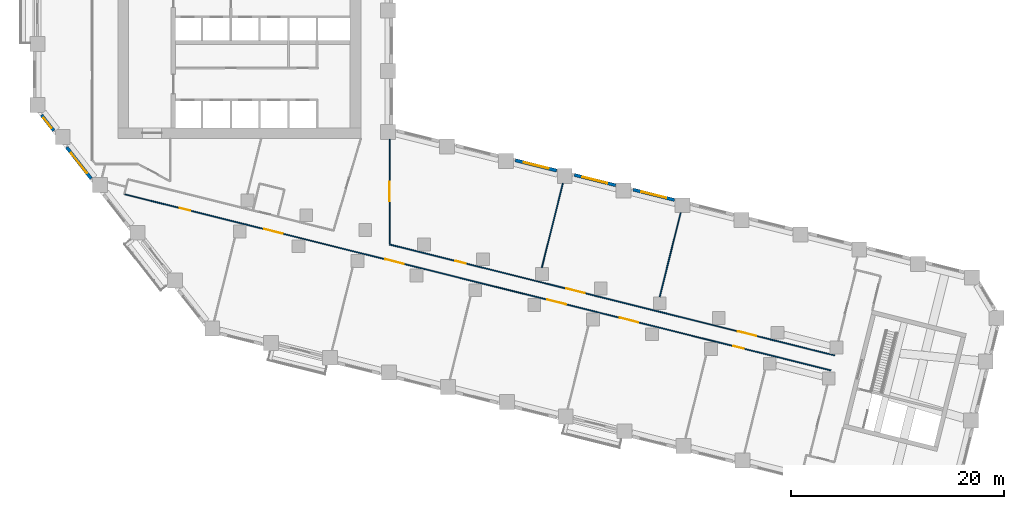
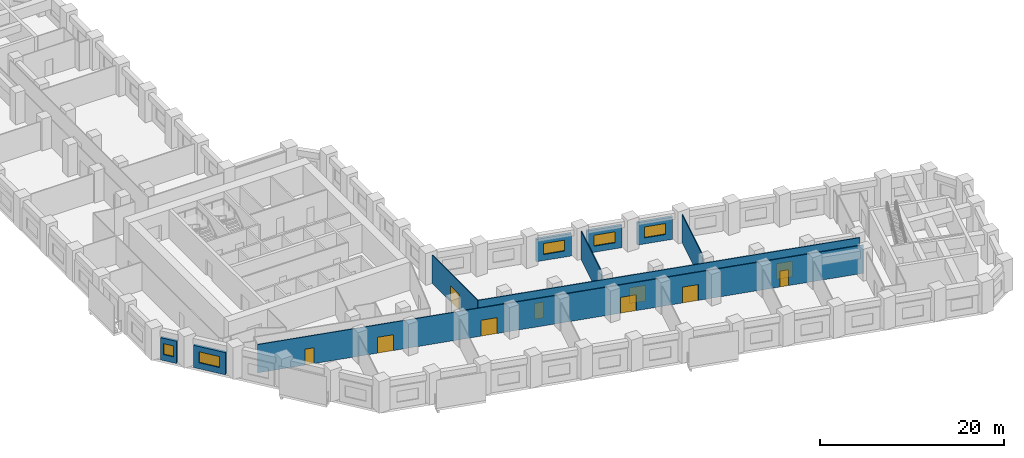
# One storey, part 4 of 12: 10 doors, 10 walls, 5 windows, 15 openings.
"""IFC4 building model written with IfcOpenShell, lengths in metres."""

from ifc_helpers import new_model, si_unit, direction, frame, frame_2d, origin, place, context, subcontext, project, spatial, rectangle, extrude, material, layer, layer_set, type_object, element, fill, save


model = new_model("IFC4")

# Units and contexts
model_context = context("Model", 3, precision=1e-05, world=origin(), true_north=direction((0.0, 1.0)))
body_context = subcontext(model_context, "Body", "Model", "MODEL_VIEW")
ifc_project = project(units=[si_unit("LENGTHUNIT", "METRE"), si_unit("AREAUNIT", "SQUARE_METRE"), si_unit("VOLUMEUNIT", "CUBIC_METRE"), si_unit("PLANEANGLEUNIT", "RADIAN"), si_unit("MASSUNIT", "GRAM", prefix="KILO")], contexts=[model_context])

# Site, building, storey
site_placement = place(None, origin())
site = spatial("IfcSite", under=ifc_project, at=site_placement, CompositionType="ELEMENT")
building_placement = place(site_placement, origin())
building = spatial("IfcBuilding", under=site, at=building_placement, Name="Meshkara Civic Tower", CompositionType="ELEMENT")
storey_placement = place(building_placement, frame((0.0, 0.0, 87.60009765625)))
storey = spatial("IfcBuildingStorey", under=building, at=storey_placement, Name="L19", CompositionType="ELEMENT", Elevation=87.60009765625)

# Wall, openings, doors
ifc_material_1 = material(Name="Corridor wall 100")
ifc_layer_1 = layer(ifc_material_1, 0.10009765625)
ifc_layer_set_1 = layer_set([ifc_layer_1], Name="Corridor wall 100")
wall_type_1 = type_object("IfcWallType", Name="Corridor wall 100", PredefinedType="PARTITIONING", material=ifc_layer_set_1)
wall_1_placement = place(storey_placement, frame((8.593994140625, 8.862060546875, 0.0), z_axis=(0.0, 0.0, 1.0), x_axis=(0.970293746648, -0.241929835316, 0.0)))
wall_1 = element("IfcWall", 1, at=wall_1_placement, inside=storey, type_object=wall_type_1, Name="L19-W008", PredefinedType="PARTITIONING", context=body_context, shape_type="SweptSolid", body=[
    extrude(rectangle(XDim=68.375244140625, YDim=0.10009765625, at=frame_2d((34.1875, 0.0))), origin(), (0.0, 0.0, 1.0), 3.75),
])
opening_1_placement = place(wall_1_placement, frame((40.93994140625, 0.0, 0.0)))
opening_1 = element("IfcOpeningElement", 2, at=opening_1_placement, cuts=wall_1, Name="Opening L19-D003", PredefinedType="OPENING", context=body_context, shape_type="SweptSolid", body=[
    extrude(rectangle(XDim=1.800048828125, YDim=2.10009765625, at=frame_2d((0.89990234375, 1.050048828125))), frame((0.0, 0.06005859375, 0.0), z_axis=(0.0, -1.0, 0.0), x_axis=(1.0, 0.0, 0.0)), (0.0, 0.0, 1.0), 0.1201171875),
])
opening_2_placement = place(wall_1_placement, frame((47.94091796875, 0.0, 0.0)))
opening_2 = element("IfcOpeningElement", 3, at=opening_2_placement, cuts=wall_1, Name="Opening L19-D005", PredefinedType="OPENING", context=body_context, shape_type="SweptSolid", body=[
    extrude(rectangle(XDim=1.800048828125, YDim=2.10009765625, at=frame_2d((0.89990234375, 1.050048828125))), frame((0.0, 0.06005859375, 0.0), z_axis=(0.0, -1.0, 0.0), x_axis=(1.0, 0.0, 0.0)), (0.0, 0.0, 1.0), 0.1201171875),
])
opening_3_placement = place(wall_1_placement, frame((58.93994140625, 0.0, 0.0)))
opening_3 = element("IfcOpeningElement", 4, at=opening_3_placement, cuts=wall_1, Name="Opening L19-D006", PredefinedType="OPENING", context=body_context, shape_type="SweptSolid", body=[
    extrude(rectangle(XDim=1.0, YDim=2.10009765625, at=frame_2d((0.5, 1.050048828125))), frame((0.0, 0.06005859375, 0.0), z_axis=(0.0, -1.0, 0.0), x_axis=(1.0, 0.0, 0.0)), (0.0, 0.0, 1.0), 0.1201171875),
])
opening_4_placement = place(wall_1_placement, frame((13.5400390625, 0.0, 0.0)))
opening_4 = element("IfcOpeningElement", 5, at=opening_4_placement, cuts=wall_1, Name="Opening L19-D010", PredefinedType="OPENING", context=body_context, shape_type="SweptSolid", body=[
    extrude(rectangle(XDim=1.800048828125, YDim=2.10009765625, at=frame_2d((0.89990234375, 1.050048828125))), frame((0.0, 0.06005859375, 0.0), z_axis=(0.0, -1.0, 0.0), x_axis=(1.0, 0.0, 0.0)), (0.0, 0.0, 1.0), 0.1201171875),
])
opening_5_placement = place(wall_1_placement, frame((25.239990234375, 0.0, 0.0)))
opening_5 = element("IfcOpeningElement", 6, at=opening_5_placement, cuts=wall_1, Name="Opening L19-D011", PredefinedType="OPENING", context=body_context, shape_type="SweptSolid", body=[
    extrude(rectangle(XDim=1.800048828125, YDim=2.10009765625, at=frame_2d((0.89990234375, 1.050048828125))), frame((0.0, 0.06005859375, 0.0), z_axis=(0.0, -1.0, 0.0), x_axis=(1.0, 0.0, 0.0)), (0.0, 0.0, 1.0), 0.1201171875),
])
opening_6_placement = place(wall_1_placement, frame((5.3798828125, 0.0, 0.0)))
opening_6 = element("IfcOpeningElement", 7, at=opening_6_placement, cuts=wall_1, Name="Opening L19-D014", PredefinedType="OPENING", context=body_context, shape_type="SweptSolid", body=[
    extrude(rectangle(XDim=1.0, YDim=2.10009765625, at=frame_2d((0.5, 1.050048828125))), frame((0.0, 0.06005859375, 0.0), z_axis=(0.0, -1.0, 0.0), x_axis=(1.0, 0.0, 0.0)), (0.0, 0.0, 1.0), 0.1201171875),
])
ifc_material_2 = material(Name="Door 1000 x 2100")
door_type_1 = type_object("IfcDoorType", Name="Door 1000 x 2100", OperationType="SINGLE_SWING_LEFT", PredefinedType="DOOR", material=ifc_material_2)
door_1_placement = place(opening_3_placement, origin())
door_1 = element("IfcDoor", 8, at=door_1_placement, inside=storey, type_object=door_type_1, Name="L19-D006", OperationType="SINGLE_SWING_RIGHT", OverallHeight=2.10009765625, OverallWidth=1.0, PredefinedType="DOOR", context=body_context, shape_type="SweptSolid", body=[
    extrude(rectangle(XDim=1.0, YDim=2.10009765625, at=frame_2d((0.5, 1.050048828125))), frame((0.0, 0.02490234375, 0.0), z_axis=(0.0, -1.0, 0.0), x_axis=(1.0, 0.0, 0.0)), (0.0, 0.0, 1.0), 0.050048828125),
])
fill(opening_3, door_1)
door_2_placement = place(opening_6_placement, origin())
door_2 = element("IfcDoor", 9, at=door_2_placement, inside=storey, type_object=door_type_1, Name="L19-D014", OperationType="SINGLE_SWING_LEFT", OverallHeight=2.10009765625, OverallWidth=1.0, PredefinedType="DOOR", context=body_context, shape_type="SweptSolid", body=[
    extrude(rectangle(XDim=1.0, YDim=2.10009765625, at=frame_2d((0.5, 1.050048828125))), frame((0.0, 0.02490234375, 0.0), z_axis=(0.0, -1.0, 0.0), x_axis=(1.0, 0.0, 0.0)), (0.0, 0.0, 1.0), 0.050048828125),
])
fill(opening_6, door_2)
ifc_material_3 = material(Name="Door pair 1800 x 2100")
door_type_2 = type_object("IfcDoorType", Name="Door pair 1800 x 2100", OperationType="SINGLE_SWING_LEFT", PredefinedType="DOOR", material=ifc_material_3)
door_3_placement = place(opening_1_placement, origin())
door_3 = element("IfcDoor", 10, at=door_3_placement, inside=storey, type_object=door_type_2, Name="L19-D003", OperationType="DOUBLE_DOOR_SINGLE_SWING", OverallHeight=2.10009765625, OverallWidth=1.800048828125, PredefinedType="DOOR", context=body_context, shape_type="SweptSolid", body=[
    extrude(rectangle(XDim=1.800048828125, YDim=2.10009765625, at=frame_2d((0.89990234375, 1.050048828125))), frame((0.0, 0.02490234375, 0.0), z_axis=(0.0, -1.0, 0.0), x_axis=(1.0, 0.0, 0.0)), (0.0, 0.0, 1.0), 0.050048828125),
])
fill(opening_1, door_3)
door_4_placement = place(opening_2_placement, origin())
door_4 = element("IfcDoor", 11, at=door_4_placement, inside=storey, type_object=door_type_2, Name="L19-D005", OperationType="DOUBLE_DOOR_SINGLE_SWING", OverallHeight=2.10009765625, OverallWidth=1.800048828125, PredefinedType="DOOR", context=body_context, shape_type="SweptSolid", body=[
    extrude(rectangle(XDim=1.800048828125, YDim=2.10009765625, at=frame_2d((0.89990234375, 1.050048828125))), frame((0.0, 0.02490234375, 0.0), z_axis=(0.0, -1.0, 0.0), x_axis=(1.0, 0.0, 0.0)), (0.0, 0.0, 1.0), 0.050048828125),
])
fill(opening_2, door_4)
door_5_placement = place(opening_4_placement, origin())
door_5 = element("IfcDoor", 12, at=door_5_placement, inside=storey, type_object=door_type_2, Name="L19-D010", OperationType="DOUBLE_DOOR_SINGLE_SWING", OverallHeight=2.10009765625, OverallWidth=1.800048828125, PredefinedType="DOOR", context=body_context, shape_type="SweptSolid", body=[
    extrude(rectangle(XDim=1.800048828125, YDim=2.10009765625, at=frame_2d((0.89990234375, 1.050048828125))), frame((0.0, 0.02490234375, 0.0), z_axis=(0.0, -1.0, 0.0), x_axis=(1.0, 0.0, 0.0)), (0.0, 0.0, 1.0), 0.050048828125),
])
fill(opening_4, door_5)
door_6_placement = place(opening_5_placement, origin())
door_6 = element("IfcDoor", 13, at=door_6_placement, inside=storey, type_object=door_type_2, Name="L19-D011", OperationType="DOUBLE_DOOR_SINGLE_SWING", OverallHeight=2.10009765625, OverallWidth=1.800048828125, PredefinedType="DOOR", context=body_context, shape_type="SweptSolid", body=[
    extrude(rectangle(XDim=1.800048828125, YDim=2.10009765625, at=frame_2d((0.89990234375, 1.050048828125))), frame((0.0, 0.02490234375, 0.0), z_axis=(0.0, -1.0, 0.0), x_axis=(1.0, 0.0, 0.0)), (0.0, 0.0, 1.0), 0.050048828125),
])
fill(opening_5, door_6)

wall_2_placement = place(storey_placement, frame((33.5, 4.14111328125, 0.0), z_axis=(0.0, 0.0, 1.0), x_axis=(0.970294366687, -0.241927348549, 0.0)))
wall_2 = element("IfcWall", 14, at=wall_2_placement, inside=storey, type_object=wall_type_1, Name="L19-W022", PredefinedType="PARTITIONING", context=body_context, shape_type="SweptSolid", body=[
    extrude(rectangle(XDim=43.0673828125, YDim=0.10009765625, at=frame_2d((21.53369140625, 0.0))), origin(), (0.0, 0.0, 1.0), 3.75),
])
opening_7_placement = place(wall_2_placement, frame((17.075927734375, 0.0, 0.0)))
opening_7 = element("IfcOpeningElement", 15, at=opening_7_placement, cuts=wall_2, Name="Opening L19-D004", PredefinedType="OPENING", context=body_context, shape_type="SweptSolid", body=[
    extrude(rectangle(XDim=1.800048828125, YDim=2.10009765625, at=frame_2d((0.89990234375, 1.050048828125))), frame((0.0, 0.06005859375, 0.0), z_axis=(0.0, -1.0, 0.0), x_axis=(1.0, 0.0, 0.0)), (0.0, 0.0, 1.0), 0.1201171875),
])
opening_8_placement = place(wall_2_placement, frame((33.676025390625, 0.0, 0.0)))
opening_8 = element("IfcOpeningElement", 16, at=opening_8_placement, cuts=wall_2, Name="Opening L19-D007", PredefinedType="OPENING", context=body_context, shape_type="SweptSolid", body=[
    extrude(rectangle(XDim=1.800048828125, YDim=2.10009765625, at=frame_2d((0.89990234375, 1.050048828125))), frame((0.0, 0.06005859375, 0.0), z_axis=(0.0, -1.0, 0.0), x_axis=(1.0, 0.0, 0.0)), (0.0, 0.0, 1.0), 0.1201171875),
])
opening_9_placement = place(wall_2_placement, frame((6.3798828125, 0.0, 0.0)))
opening_9 = element("IfcOpeningElement", 17, at=opening_9_placement, cuts=wall_2, Name="Opening L19-D012", PredefinedType="OPENING", context=body_context, shape_type="SweptSolid", body=[
    extrude(rectangle(XDim=1.0, YDim=2.10009765625, at=frame_2d((0.5, 1.050048828125))), frame((0.0, 0.06005859375, 0.0), z_axis=(0.0, -1.0, 0.0), x_axis=(1.0, 0.0, 0.0)), (0.0, 0.0, 1.0), 0.1201171875),
])
door_7_placement = place(opening_9_placement, origin())
door_7 = element("IfcDoor", 18, at=door_7_placement, inside=storey, type_object=door_type_1, Name="L19-D012", OperationType="SINGLE_SWING_LEFT", OverallHeight=2.10009765625, OverallWidth=1.0, PredefinedType="DOOR", context=body_context, shape_type="SweptSolid", body=[
    extrude(rectangle(XDim=1.0, YDim=2.10009765625, at=frame_2d((0.5, 1.050048828125))), frame((0.0, 0.02490234375, 0.0), z_axis=(0.0, -1.0, 0.0), x_axis=(1.0, 0.0, 0.0)), (0.0, 0.0, 1.0), 0.050048828125),
])
fill(opening_9, door_7)
door_8_placement = place(opening_7_placement, origin())
door_8 = element("IfcDoor", 19, at=door_8_placement, inside=storey, type_object=door_type_2, Name="L19-D004", OperationType="DOUBLE_DOOR_SINGLE_SWING", OverallHeight=2.10009765625, OverallWidth=1.800048828125, PredefinedType="DOOR", context=body_context, shape_type="SweptSolid", body=[
    extrude(rectangle(XDim=1.800048828125, YDim=2.10009765625, at=frame_2d((0.89990234375, 1.050048828125))), frame((0.0, 0.02490234375, 0.0), z_axis=(0.0, -1.0, 0.0), x_axis=(1.0, 0.0, 0.0)), (0.0, 0.0, 1.0), 0.050048828125),
])
fill(opening_7, door_8)
door_9_placement = place(opening_8_placement, origin())
door_9 = element("IfcDoor", 20, at=door_9_placement, inside=storey, type_object=door_type_2, Name="L19-D007", OperationType="DOUBLE_DOOR_SINGLE_SWING", OverallHeight=2.10009765625, OverallWidth=1.800048828125, PredefinedType="DOOR", context=body_context, shape_type="SweptSolid", body=[
    extrude(rectangle(XDim=1.800048828125, YDim=2.10009765625, at=frame_2d((0.89990234375, 1.050048828125))), frame((0.0, 0.02490234375, 0.0), z_axis=(0.0, -1.0, 0.0), x_axis=(1.0, 0.0, 0.0)), (0.0, 0.0, 1.0), 0.050048828125),
])
fill(opening_8, door_9)

# Wall, opening, door
wall_3_placement = place(storey_placement, frame((33.5, 4.14111328125, 0.0), z_axis=(0.0, 0.0, 1.0), x_axis=(0.0, 1.0, 0.0)))
wall_3 = element("IfcWall", 21, at=wall_3_placement, inside=storey, type_object=wall_type_1, Name="L19-W023", PredefinedType="PARTITIONING", context=body_context, shape_type="SweptSolid", body=[
    extrude(rectangle(XDim=9.8779296875, YDim=0.10009765625, at=frame_2d((4.93896484375, 0.0))), origin(), (0.0, 0.0, 1.0), 3.75),
])
opening_10_placement = place(wall_3_placement, frame((4.080078125, 0.0, 0.0)))
opening_10 = element("IfcOpeningElement", 22, at=opening_10_placement, cuts=wall_3, Name="Opening L19-D017", PredefinedType="OPENING", context=body_context, shape_type="SweptSolid", body=[
    extrude(rectangle(XDim=1.800048828125, YDim=2.10009765625, at=frame_2d((0.89990234375, 1.050048828125))), frame((0.0, 0.06005859375, 0.0), z_axis=(0.0, -1.0, 0.0), x_axis=(1.0, 0.0, 0.0)), (0.0, 0.0, 1.0), 0.1201171875),
])
door_10_placement = place(opening_10_placement, origin())
door_10 = element("IfcDoor", 23, at=door_10_placement, inside=storey, type_object=door_type_2, Name="L19-D017", OperationType="DOUBLE_DOOR_SINGLE_SWING", OverallHeight=2.10009765625, OverallWidth=1.800048828125, PredefinedType="DOOR", context=body_context, shape_type="SweptSolid", body=[
    extrude(rectangle(XDim=1.800048828125, YDim=2.10009765625, at=frame_2d((0.89990234375, 1.050048828125))), frame((0.0, 0.02490234375, 0.0), z_axis=(0.0, -1.0, 0.0), x_axis=(1.0, 0.0, 0.0)), (0.0, 0.0, 1.0), 0.050048828125),
])
fill(opening_10, door_10)

# Wall, opening, window
ifc_material_4 = material(Name="Insulated infill panel with bronze anodised aluminium cladding", Category="aluminium")
ifc_layer_2 = layer(ifc_material_4, 0.300048828125)
ifc_layer_set_2 = layer_set([ifc_layer_2], Name="EXTERNAL INFILL WALL 300")
wall_type_2 = type_object("IfcWallType", Name="EXTERNAL INFILL WALL 300", PredefinedType="SOLIDWALL", material=ifc_layer_set_2)
wall_4_placement = place(storey_placement, frame((60.251953125, 8.321044921875, 0.0), z_axis=(0.0, 0.0, 1.0), x_axis=(-0.970303772127, 0.241889623168, 0.0)))
wall_4 = element("IfcWall", 24, at=wall_4_placement, inside=storey, type_object=wall_type_2, Name="External wall", PredefinedType="SOLIDWALL", context=body_context, shape_type="SweptSolid", body=[
    extrude(rectangle(XDim=4.001953125, YDim=0.300048828125, at=frame_2d((2.0009765625, 0.0))), origin(), (0.0, 0.0, 1.0), 2.949951171875),
])
opening_11_placement = place(wall_4_placement, frame((0.801025390625, 0.0, 0.800048828125)))
opening_11 = element("IfcOpeningElement", 25, at=opening_11_placement, cuts=wall_4, Name="Opening W8", PredefinedType="OPENING", context=body_context, shape_type="SweptSolid", body=[
    extrude(rectangle(XDim=2.39990234375, YDim=1.449951171875, at=frame_2d((1.199951171875, 0.72509765625))), frame((0.0, 0.159912109375, 0.0), z_axis=(0.0, -1.0, 0.0), x_axis=(1.0, 0.0, 0.0)), (0.0, 0.0, 1.0), 0.320068359375),
])
ifc_material_5 = material(Name="Tinted double glazing", Category="glass")
window_type_1 = type_object("IfcWindowType", Name="WINDOW 2400x1450", PartitioningType="DOUBLE_PANEL_VERTICAL", PredefinedType="WINDOW", material=ifc_material_5)
window_1_placement = place(opening_11_placement, origin())
window_1 = element("IfcWindow", 26, at=window_1_placement, inside=storey, type_object=window_type_1, Name="Window", OverallHeight=1.449951171875, OverallWidth=2.39990234375, PartitioningType="DOUBLE_PANEL_VERTICAL", PredefinedType="WINDOW", context=body_context, shape_type="SweptSolid", body=[
    extrude(rectangle(XDim=2.39990234375, YDim=1.449951171875, at=frame_2d((1.199951171875, 0.72509765625))), frame((0.0, 0.030029296875, 0.0), z_axis=(0.0, -1.0, 0.0), x_axis=(1.0, 0.0, 0.0)), (0.0, 0.0, 1.0), 0.06005859375),
])
fill(opening_11, window_1)

wall_5_placement = place(storey_placement, frame((54.721923828125, 9.699951171875, 0.0), z_axis=(0.0, 0.0, 1.0), x_axis=(-0.970318045095, 0.24183236211, 0.0)))
wall_5 = element("IfcWall", 27, at=wall_5_placement, inside=storey, type_object=wall_type_2, Name="External wall", PredefinedType="SOLIDWALL", context=body_context, shape_type="SweptSolid", body=[
    extrude(rectangle(XDim=4.0029296875, YDim=0.300048828125, at=frame_2d((2.00146484375, 0.0))), origin(), (0.0, 0.0, 1.0), 2.949951171875),
])
opening_12_placement = place(wall_5_placement, frame((0.802001953125, 0.0, 0.800048828125)))
opening_12 = element("IfcOpeningElement", 28, at=opening_12_placement, cuts=wall_5, Name="Opening W8", PredefinedType="OPENING", context=body_context, shape_type="SweptSolid", body=[
    extrude(rectangle(XDim=2.39990234375, YDim=1.449951171875, at=frame_2d((1.199951171875, 0.72509765625))), frame((0.0, 0.159912109375, 0.0), z_axis=(0.0, -1.0, 0.0), x_axis=(1.0, 0.0, 0.0)), (0.0, 0.0, 1.0), 0.320068359375),
])
window_2_placement = place(opening_12_placement, origin())
window_2 = element("IfcWindow", 29, at=window_2_placement, inside=storey, type_object=window_type_1, Name="Window", OverallHeight=1.449951171875, OverallWidth=2.39990234375, PartitioningType="DOUBLE_PANEL_VERTICAL", PredefinedType="WINDOW", context=body_context, shape_type="SweptSolid", body=[
    extrude(rectangle(XDim=2.39990234375, YDim=1.449951171875, at=frame_2d((1.199951171875, 0.72509765625))), frame((0.0, 0.030029296875, 0.0), z_axis=(0.0, -1.0, 0.0), x_axis=(1.0, 0.0, 0.0)), (0.0, 0.0, 1.0), 0.06005859375),
])
fill(opening_12, window_2)

wall_6_placement = place(storey_placement, frame((49.19091796875, 11.0791015625, 0.0), z_axis=(0.0, 0.0, 1.0), x_axis=(-0.970318045095, 0.24183236211, 0.0)))
wall_6 = element("IfcWall", 30, at=wall_6_placement, inside=storey, type_object=wall_type_2, Name="External wall", PredefinedType="SOLIDWALL", context=body_context, shape_type="SweptSolid", body=[
    extrude(rectangle(XDim=4.0029296875, YDim=0.300048828125, at=frame_2d((2.00146484375, 0.0))), origin(), (0.0, 0.0, 1.0), 2.949951171875),
])
opening_13_placement = place(wall_6_placement, frame((0.802001953125, 0.0, 0.800048828125)))
opening_13 = element("IfcOpeningElement", 31, at=opening_13_placement, cuts=wall_6, Name="Opening W8", PredefinedType="OPENING", context=body_context, shape_type="SweptSolid", body=[
    extrude(rectangle(XDim=2.39990234375, YDim=1.449951171875, at=frame_2d((1.199951171875, 0.72509765625))), frame((0.0, 0.159912109375, 0.0), z_axis=(0.0, -1.0, 0.0), x_axis=(1.0, 0.0, 0.0)), (0.0, 0.0, 1.0), 0.320068359375),
])
window_3_placement = place(opening_13_placement, origin())
window_3 = element("IfcWindow", 32, at=window_3_placement, inside=storey, type_object=window_type_1, Name="Window", OverallHeight=1.449951171875, OverallWidth=2.39990234375, PartitioningType="DOUBLE_PANEL_VERTICAL", PredefinedType="WINDOW", context=body_context, shape_type="SweptSolid", body=[
    extrude(rectangle(XDim=2.39990234375, YDim=1.449951171875, at=frame_2d((1.199951171875, 0.72509765625))), frame((0.0, 0.030029296875, 0.0), z_axis=(0.0, -1.0, 0.0), x_axis=(1.0, 0.0, 0.0)), (0.0, 0.0, 1.0), 0.06005859375),
])
fill(opening_13, window_3)

wall_7_placement = place(storey_placement, frame((0.818115234375, 16.2958984375, 0.0), z_axis=(0.0, 0.0, 1.0), x_axis=(0.615985155343, -0.787757759973, 0.0)))
wall_7 = element("IfcWall", 33, at=wall_7_placement, inside=storey, type_object=wall_type_2, Name="External wall", PredefinedType="SOLIDWALL", context=body_context, shape_type="SweptSolid", body=[
    extrude(rectangle(XDim=1.874755859375, YDim=0.300048828125, at=frame_2d((0.9375, 0.0))), origin(), (0.0, 0.0, 1.0), 2.949951171875),
])
opening_14_placement = place(wall_7_placement, frame((0.3369140625, 0.0, 0.800048828125)))
opening_14 = element("IfcOpeningElement", 34, at=opening_14_placement, cuts=wall_7, Name="Opening W4", PredefinedType="OPENING", context=body_context, shape_type="SweptSolid", body=[
    extrude(rectangle(XDim=1.199951171875, YDim=1.449951171875, at=frame_2d((0.60009765625, 0.72509765625))), frame((0.0, 0.159912109375, 0.0), z_axis=(0.0, -1.0, 0.0), x_axis=(1.0, 0.0, 0.0)), (0.0, 0.0, 1.0), 0.320068359375),
])
ifc_material_6 = material(Name="Tinted double glazing", Category="glass")
window_type_2 = type_object("IfcWindowType", Name="WINDOW 1200x1450", PartitioningType="SINGLE_PANEL", PredefinedType="WINDOW", material=ifc_material_6)
window_4_placement = place(opening_14_placement, origin())
window_4 = element("IfcWindow", 35, at=window_4_placement, inside=storey, type_object=window_type_2, Name="Window", OverallHeight=1.449951171875, OverallWidth=1.199951171875, PartitioningType="SINGLE_PANEL", PredefinedType="WINDOW", context=body_context, shape_type="SweptSolid", body=[
    extrude(rectangle(XDim=1.199951171875, YDim=1.449951171875, at=frame_2d((0.60009765625, 0.72509765625))), frame((0.0, 0.030029296875, 0.0), z_axis=(0.0, -1.0, 0.0), x_axis=(1.0, 0.0, 0.0)), (0.0, 0.0, 1.0), 0.06005859375),
])
fill(opening_14, window_4)

wall_8_placement = place(storey_placement, frame((3.18310546875, 13.27001953125, 0.0), z_axis=(0.0, 0.0, 1.0), x_axis=(0.615564114897, -0.788086810225, 0.0)))
wall_8 = element("IfcWall", 36, at=wall_8_placement, inside=storey, type_object=wall_type_2, Name="External wall", PredefinedType="SOLIDWALL", context=body_context, shape_type="SweptSolid", body=[
    extrude(rectangle(XDim=3.734619140625, YDim=0.300048828125, at=frame_2d((1.8671875, 0.0))), origin(), (0.0, 0.0, 1.0), 2.949951171875),
])
opening_15_placement = place(wall_8_placement, frame((0.6669921875, 0.0, 0.800048828125)))
opening_15 = element("IfcOpeningElement", 37, at=opening_15_placement, cuts=wall_8, Name="Opening W8", PredefinedType="OPENING", context=body_context, shape_type="SweptSolid", body=[
    extrude(rectangle(XDim=2.39990234375, YDim=1.449951171875, at=frame_2d((1.199951171875, 0.72509765625))), frame((0.0, 0.159912109375, 0.0), z_axis=(0.0, -1.0, 0.0), x_axis=(1.0, 0.0, 0.0)), (0.0, 0.0, 1.0), 0.320068359375),
])
window_5_placement = place(opening_15_placement, origin())
window_5 = element("IfcWindow", 38, at=window_5_placement, inside=storey, type_object=window_type_1, Name="Window", OverallHeight=1.449951171875, OverallWidth=2.39990234375, PartitioningType="DOUBLE_PANEL_VERTICAL", PredefinedType="WINDOW", context=body_context, shape_type="SweptSolid", body=[
    extrude(rectangle(XDim=2.39990234375, YDim=1.449951171875, at=frame_2d((1.199951171875, 0.72509765625))), frame((0.0, 0.030029296875, 0.0), z_axis=(0.0, -1.0, 0.0), x_axis=(1.0, 0.0, 0.0)), (0.0, 0.0, 1.0), 0.06005859375),
])
fill(opening_15, window_5)

# Walls
ifc_material_7 = material(Name="Partition 100")
ifc_layer_3 = layer(ifc_material_7, 0.10009765625)
ifc_layer_set_3 = layer_set([ifc_layer_3], Name="Partition 100")
wall_type_3 = type_object("IfcWallType", Name="Partition 100", PredefinedType="PARTITIONING", material=ifc_layer_set_3)
wall_9_placement = place(storey_placement, frame((47.797119140625, 1.97607421875, 0.0), z_axis=(0.0, 0.0, 1.0), x_axis=(0.241894004121, 0.970302679977, 0.0)))
element("IfcWall", 39, at=wall_9_placement, inside=storey, type_object=wall_type_3, Name="L19-W049", PredefinedType="PARTITIONING", context=body_context, shape_type="SweptSolid", body=[
    extrude(rectangle(XDim=8.14794921875, YDim=0.10009765625, at=frame_2d((4.073974609375, 0.0))), origin(), (0.0, 0.0, 1.0), 3.75),
])
wall_10_placement = place(storey_placement, frame((58.85888671875, -0.781982421875, 0.0), z_axis=(0.0, 0.0, 1.0), x_axis=(0.241809371064, 0.970323774864, 0.0)))
element("IfcWall", 40, at=wall_10_placement, inside=storey, type_object=wall_type_3, Name="L19-W051", PredefinedType="PARTITIONING", context=body_context, shape_type="SweptSolid", body=[
    extrude(rectangle(XDim=8.147705078125, YDim=0.10009765625, at=frame_2d((4.07373046875, 0.0))), origin(), (0.0, 0.0, 1.0), 3.75),
])

save(model, "model.ifc")
